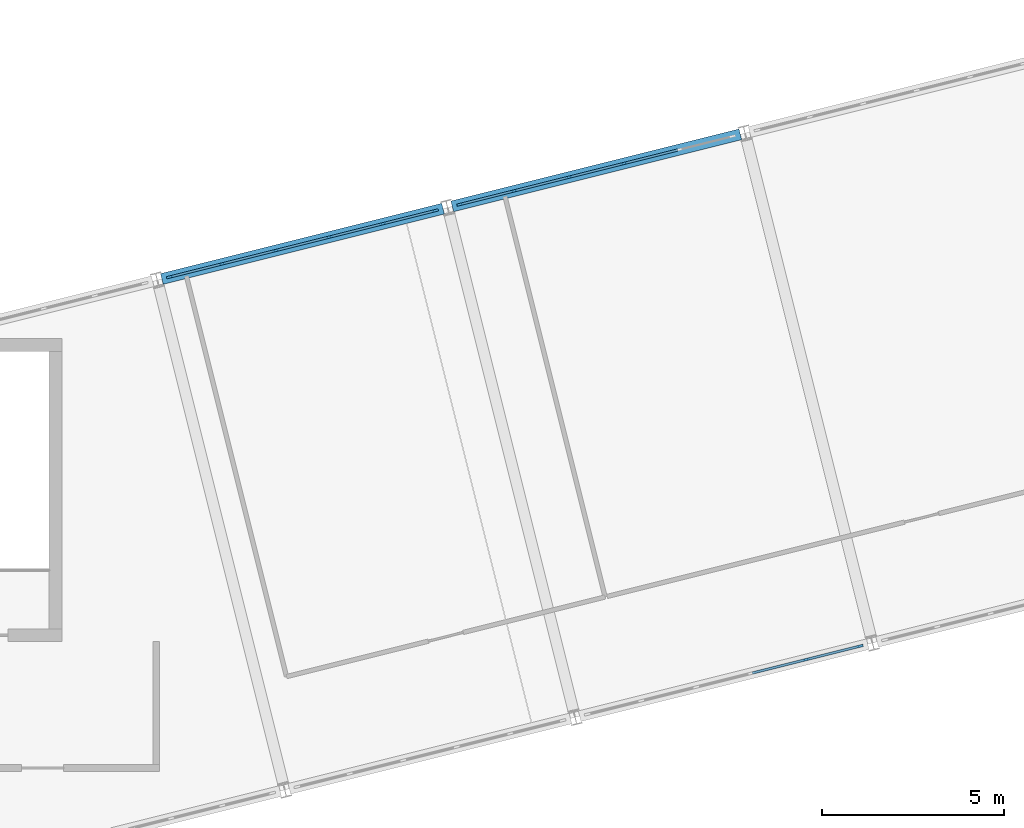
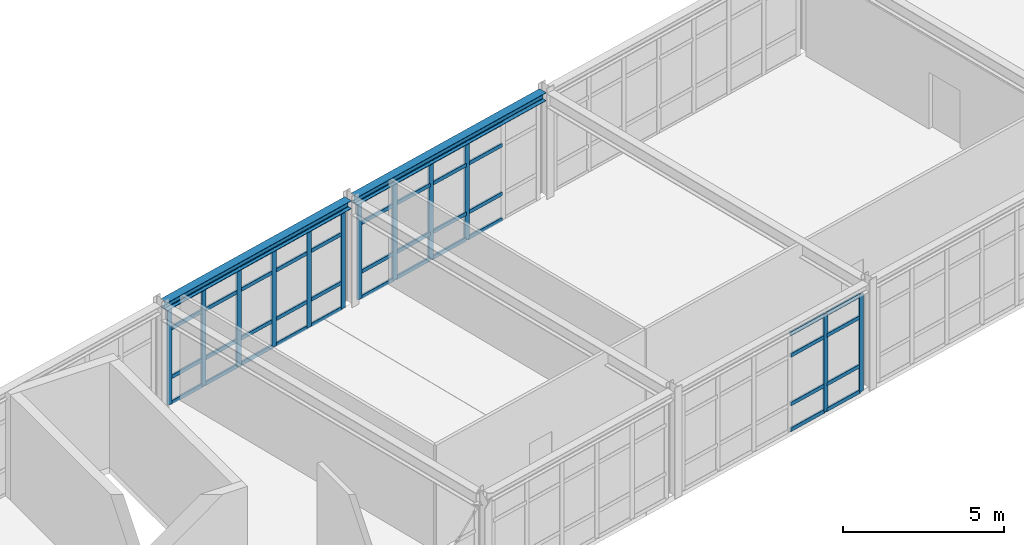
# One storey, part 16 of 64: 56 members, 2 beams, 3 elements without a shape of their own.
"""IFC4 building model written with IfcOpenShell, lengths in metres."""

from ifc_helpers import new_model, si_unit, direction, frame, origin, origin_2d, place, context, subcontext, project, spatial, rectangle, i_section, extrude, material, layer, layer_set, material_profile, profile_set, type_object, element, aggregate, save


model = new_model("IFC4")

# Units and contexts
model_context = context("Model", 3, precision=1e-05, world=origin(), true_north=direction((0.0, 1.0)))
body_context = subcontext(model_context, "Body", "Model", "MODEL_VIEW")
ifc_project = project(units=[si_unit("LENGTHUNIT", "METRE"), si_unit("AREAUNIT", "SQUARE_METRE"), si_unit("VOLUMEUNIT", "CUBIC_METRE"), si_unit("PLANEANGLEUNIT", "RADIAN"), si_unit("MASSUNIT", "GRAM", prefix="KILO")], contexts=[model_context])

# Site, building, storey
site_placement = place(None, origin())
site = spatial("IfcSite", under=ifc_project, at=site_placement, CompositionType="ELEMENT")
building_placement = place(site_placement, origin())
building = spatial("IfcBuilding", under=site, at=building_placement, Name="Nordkorset Police Headquarters", CompositionType="ELEMENT")
storey_placement = place(building_placement, frame((0.0, 0.0, 17.85009765625)))
storey = spatial("IfcBuildingStorey", under=building, at=storey_placement, Name="L04", CompositionType="ELEMENT", Elevation=17.85009765625)

# Curtain wall, members
ifc_material_1 = material(Name="Aluminium alloy AW-6060", Category="aluminium")
ifc_layer_1 = layer(ifc_material_1, 0.179931640625, Name="Aluminium alloy AW-6060")
ifc_layer_set_1 = layer_set([ifc_layer_1], Name="Aluminium alloy AW-6060")
curtain_wall_type_1 = type_object("IfcCurtainWallType", Name="CW_Unit_756x369", PredefinedType="USERDEFINED", material=ifc_layer_set_1)
curtain_wall_1_placement = place(storey_placement, origin())
curtain_wall_1 = element("IfcCurtainWall", 1, at=curtain_wall_1_placement, inside=storey, type_object=curtain_wall_type_1, Name="Unitised Curtain Wall L04 V4N-1", ObjectType="UNITISED CURTAIN WALL", PredefinedType="USERDEFINED")
ifc_material_2 = material(Name="Aluminium alloy AW-6060", Category="aluminium")
ifc_material_profile_1 = material_profile(ifc_material_2, rectangle(XDim=0.06494140625, YDim=0.179931640625, at=origin_2d()), Name="ALU MULL 65x180")
ifc_profile_set_1 = profile_set([ifc_material_profile_1], Name="Aluminium alloy AW-6060")
member_type_1 = type_object("IfcMemberType", Name="CW_Mullion_65x180", PredefinedType="MULLION", material=ifc_profile_set_1)
member_1_placement = place(storey_placement, frame((32.28515625, 59.014404296875, 0.0), z_axis=(0.0, 0.0, 1.0), x_axis=(-0.242535625038, 0.970142500145, 0.0)))
member_1 = element("IfcMember", 2, at=member_1_placement, type_object=member_type_1, Name="CW-90 mullion 1", PredefinedType="MULLION", context=body_context, shape_type="SweptSolid", body=[
    extrude(rectangle(XDim=0.06494140625, YDim=0.179931640625, at=origin_2d()), origin(), (0.0, 0.0, 1.0), 3.69091796875),
])
member_2_placement = place(storey_placement, frame((33.720458984375, 59.373291015625, 0.0), z_axis=(0.0, 0.0, 1.0), x_axis=(-0.242535625038, 0.970142500145, 0.0)))
member_2 = element("IfcMember", 3, at=member_2_placement, type_object=member_type_1, Name="CW-90 mullion 2", PredefinedType="MULLION", context=body_context, shape_type="SweptSolid", body=[
    extrude(rectangle(XDim=0.06494140625, YDim=0.179931640625, at=origin_2d()), origin(), (0.0, 0.0, 1.0), 3.69091796875),
])
member_3_placement = place(storey_placement, frame((35.1875, 59.739990234375, 0.0), z_axis=(0.0, 0.0, 1.0), x_axis=(-0.242535625038, 0.970142500145, 0.0)))
member_3 = element("IfcMember", 4, at=member_3_placement, type_object=member_type_1, Name="CW-90 mullion 3", PredefinedType="MULLION", context=body_context, shape_type="SweptSolid", body=[
    extrude(rectangle(XDim=0.06494140625, YDim=0.179931640625, at=origin_2d()), origin(), (0.0, 0.0, 1.0), 3.69091796875),
])
member_4_placement = place(storey_placement, frame((36.654296875, 60.106689453125, 0.0), z_axis=(0.0, 0.0, 1.0), x_axis=(-0.242535625038, 0.970142500145, 0.0)))
member_4 = element("IfcMember", 5, at=member_4_placement, type_object=member_type_1, Name="CW-90 mullion 4", PredefinedType="MULLION", context=body_context, shape_type="SweptSolid", body=[
    extrude(rectangle(XDim=0.06494140625, YDim=0.179931640625, at=origin_2d()), origin(), (0.0, 0.0, 1.0), 3.69091796875),
])
member_5_placement = place(storey_placement, frame((38.12109375, 60.473388671875, 0.0), z_axis=(0.0, 0.0, 1.0), x_axis=(-0.242535625038, 0.970142500145, 0.0)))
member_5 = element("IfcMember", 6, at=member_5_placement, type_object=member_type_1, Name="CW-90 mullion 5", PredefinedType="MULLION", context=body_context, shape_type="SweptSolid", body=[
    extrude(rectangle(XDim=0.06494140625, YDim=0.179931640625, at=origin_2d()), origin(), (0.0, 0.0, 1.0), 3.69091796875),
])
member_6_placement = place(storey_placement, frame((39.556396484375, 60.832275390625, 0.0), z_axis=(0.0, 0.0, 1.0), x_axis=(-0.242535625038, 0.970142500145, 0.0)))
member_6 = element("IfcMember", 7, at=member_6_placement, type_object=member_type_1, Name="CW-90 mullion 6", PredefinedType="MULLION", context=body_context, shape_type="SweptSolid", body=[
    extrude(rectangle(XDim=0.06494140625, YDim=0.179931640625, at=origin_2d()), origin(), (0.0, 0.0, 1.0), 3.69091796875),
])

ifc_material_3 = material(Name="Aluminium alloy AW-6060", Category="aluminium")
ifc_layer_2 = layer(ifc_material_3, 0.179931640625, Name="Aluminium alloy AW-6060")
ifc_layer_set_2 = layer_set([ifc_layer_2], Name="Aluminium alloy AW-6060")
curtain_wall_type_2 = type_object("IfcCurtainWallType", Name="CW_Unit_776x369", PredefinedType="USERDEFINED", material=ifc_layer_set_2)
curtain_wall_2_placement = place(storey_placement, origin())
curtain_wall_2 = element("IfcCurtainWall", 8, at=curtain_wall_2_placement, inside=storey, type_object=curtain_wall_type_2, Name="Unitised Curtain Wall L04 V4S-2", ObjectType="UNITISED CURTAIN WALL", PredefinedType="USERDEFINED")
member_7_placement = place(storey_placement, frame((49.723876953125, 48.531005859375, 0.0), z_axis=(0.0, 0.0, 1.0), x_axis=(-0.24253471539, 0.970142727556, 0.0)))
member_7 = element("IfcMember", 9, at=member_7_placement, type_object=member_type_1, Name="CW-21 mullion 5", PredefinedType="MULLION", context=body_context, shape_type="SweptSolid", body=[
    extrude(rectangle(XDim=0.06494140625, YDim=0.179931640625, at=origin_2d()), origin(), (0.0, 0.0, 1.0), 3.69091796875),
])
member_8_placement = place(storey_placement, frame((51.1982421875, 48.8994140625, 0.0), z_axis=(0.0, 0.0, 1.0), x_axis=(-0.24253471539, 0.970142727556, 0.0)))
member_8 = element("IfcMember", 10, at=member_8_placement, type_object=member_type_1, Name="CW-21 mullion 6", PredefinedType="MULLION", context=body_context, shape_type="SweptSolid", body=[
    extrude(rectangle(XDim=0.06494140625, YDim=0.179931640625, at=origin_2d()), origin(), (0.0, 0.0, 1.0), 3.69091796875),
])

curtain_wall_3_placement = place(storey_placement, origin())
curtain_wall_3 = element("IfcCurtainWall", 11, at=curtain_wall_3_placement, inside=storey, type_object=curtain_wall_type_2, Name="Unitised Curtain Wall L04 V4N-2", ObjectType="UNITISED CURTAIN WALL", PredefinedType="USERDEFINED")
member_9_placement = place(storey_placement, frame((40.240478515625, 61.003173828125, 0.0), z_axis=(0.0, 0.0, 1.0), x_axis=(-0.242535928242, 0.970142424344, 0.0)))
member_9 = element("IfcMember", 12, at=member_9_placement, type_object=member_type_1, Name="CW-21 mullion 1", PredefinedType="MULLION", context=body_context, shape_type="SweptSolid", body=[
    extrude(rectangle(XDim=0.06494140625, YDim=0.179931640625, at=origin_2d()), origin(), (0.0, 0.0, 1.0), 3.69091796875),
])
member_10_placement = place(storey_placement, frame((41.714599609375, 61.371826171875, 0.0), z_axis=(0.0, 0.0, 1.0), x_axis=(-0.242535928242, 0.970142424344, 0.0)))
member_10 = element("IfcMember", 13, at=member_10_placement, type_object=member_type_1, Name="CW-21 mullion 2", PredefinedType="MULLION", context=body_context, shape_type="SweptSolid", body=[
    extrude(rectangle(XDim=0.06494140625, YDim=0.179931640625, at=origin_2d()), origin(), (0.0, 0.0, 1.0), 3.69091796875),
])
member_11_placement = place(storey_placement, frame((43.22021484375, 61.748291015625, 0.0), z_axis=(0.0, 0.0, 1.0), x_axis=(-0.242535928242, 0.970142424344, 0.0)))
member_11 = element("IfcMember", 14, at=member_11_placement, type_object=member_type_1, Name="CW-21 mullion 3", PredefinedType="MULLION", context=body_context, shape_type="SweptSolid", body=[
    extrude(rectangle(XDim=0.06494140625, YDim=0.179931640625, at=origin_2d()), origin(), (0.0, 0.0, 1.0), 3.69091796875),
])
member_12_placement = place(storey_placement, frame((44.725830078125, 62.124755859375, 0.0), z_axis=(0.0, 0.0, 1.0), x_axis=(-0.242535928242, 0.970142424344, 0.0)))
member_12 = element("IfcMember", 15, at=member_12_placement, type_object=member_type_1, Name="CW-21 mullion 4", PredefinedType="MULLION", context=body_context, shape_type="SweptSolid", body=[
    extrude(rectangle(XDim=0.06494140625, YDim=0.179931640625, at=origin_2d()), origin(), (0.0, 0.0, 1.0), 3.69091796875),
])

# Member
ifc_material_4 = material(Name="Aluminium alloy AW-6060", Category="aluminium")
ifc_material_profile_2 = material_profile(ifc_material_4, rectangle(XDim=0.06494140625, YDim=0.139892578125, at=origin_2d()), Name="ALU TRAN 65x140")
ifc_profile_set_2 = profile_set([ifc_material_profile_2], Name="Aluminium alloy AW-6060")
member_type_2 = type_object("IfcMemberType", Name="CW_Transom_65x140", PredefinedType="USERDEFINED", material=ifc_profile_set_2)
member_13_placement = place(storey_placement, frame((32.316650390625, 59.0224609375, 0.032470703125), z_axis=(0.970152651902, 0.242495014396, 0.0), x_axis=(-0.242495014396, 0.970152651902, 0.0)))
member_13 = element("IfcMember", 16, at=member_13_placement, type_object=member_type_2, Name="CW-90 transom 1.1", ObjectType="TRANSOM", PredefinedType="USERDEFINED", context=body_context, shape_type="SweptSolid", body=[
    extrude(rectangle(XDim=0.06494140625, YDim=0.139892578125, at=origin_2d()), origin(), (0.0, 0.0, 1.0), 1.41455078125),
])

member_14_placement = place(storey_placement, frame((32.316650390625, 59.0224609375, 1.0), z_axis=(0.970152651902, 0.242495014396, 0.0), x_axis=(-0.242495014396, 0.970152651902, 0.0)))
member_14 = element("IfcMember", 17, at=member_14_placement, type_object=member_type_2, Name="CW-90 transom 1.2", ObjectType="TRANSOM", PredefinedType="USERDEFINED", context=body_context, shape_type="SweptSolid", body=[
    extrude(rectangle(XDim=0.06494140625, YDim=0.139892578125, at=origin_2d()), origin(), (0.0, 0.0, 1.0), 1.41455078125),
])

member_15_placement = place(storey_placement, frame((32.316650390625, 59.0224609375, 2.8408203125), z_axis=(0.970152651902, 0.242495014396, 0.0), x_axis=(-0.242495014396, 0.970152651902, 0.0)))
member_15 = element("IfcMember", 18, at=member_15_placement, type_object=member_type_2, Name="CW-90 transom 1.3", ObjectType="TRANSOM", PredefinedType="USERDEFINED", context=body_context, shape_type="SweptSolid", body=[
    extrude(rectangle(XDim=0.06494140625, YDim=0.139892578125, at=origin_2d()), origin(), (0.0, 0.0, 1.0), 1.41455078125),
])

member_16_placement = place(storey_placement, frame((32.316650390625, 59.0224609375, 3.658447265625), z_axis=(0.970152651902, 0.242495014396, 0.0), x_axis=(-0.242495014396, 0.970152651902, 0.0)))
member_16 = element("IfcMember", 19, at=member_16_placement, type_object=member_type_2, Name="CW-90 transom 1.4", ObjectType="TRANSOM", PredefinedType="USERDEFINED", context=body_context, shape_type="SweptSolid", body=[
    extrude(rectangle(XDim=0.06494140625, YDim=0.139892578125, at=origin_2d()), origin(), (0.0, 0.0, 1.0), 1.41455078125),
])

member_17_placement = place(storey_placement, frame((33.751953125, 59.381103515625, 0.032470703125), z_axis=(0.97012264784, 0.242615020451, 0.0), x_axis=(-0.242615020451, 0.97012264784, 0.0)))
member_17 = element("IfcMember", 20, at=member_17_placement, type_object=member_type_2, Name="CW-90 transom 2.1", ObjectType="TRANSOM", PredefinedType="USERDEFINED", context=body_context, shape_type="SweptSolid", body=[
    extrude(rectangle(XDim=0.06494140625, YDim=0.139892578125, at=origin_2d()), origin(), (0.0, 0.0, 1.0), 1.447021484375),
])

member_18_placement = place(storey_placement, frame((33.751953125, 59.381103515625, 1.0), z_axis=(0.97012264784, 0.242615020451, 0.0), x_axis=(-0.242615020451, 0.97012264784, 0.0)))
member_18 = element("IfcMember", 21, at=member_18_placement, type_object=member_type_2, Name="CW-90 transom 2.2", ObjectType="TRANSOM", PredefinedType="USERDEFINED", context=body_context, shape_type="SweptSolid", body=[
    extrude(rectangle(XDim=0.06494140625, YDim=0.139892578125, at=origin_2d()), origin(), (0.0, 0.0, 1.0), 1.447021484375),
])

member_19_placement = place(storey_placement, frame((33.751953125, 59.381103515625, 2.8408203125), z_axis=(0.97012264784, 0.242615020451, 0.0), x_axis=(-0.242615020451, 0.97012264784, 0.0)))
member_19 = element("IfcMember", 22, at=member_19_placement, type_object=member_type_2, Name="CW-90 transom 2.3", ObjectType="TRANSOM", PredefinedType="USERDEFINED", context=body_context, shape_type="SweptSolid", body=[
    extrude(rectangle(XDim=0.06494140625, YDim=0.139892578125, at=origin_2d()), origin(), (0.0, 0.0, 1.0), 1.447021484375),
])

member_20_placement = place(storey_placement, frame((33.751953125, 59.381103515625, 3.658447265625), z_axis=(0.97012264784, 0.242615020451, 0.0), x_axis=(-0.242615020451, 0.97012264784, 0.0)))
member_20 = element("IfcMember", 23, at=member_20_placement, type_object=member_type_2, Name="CW-90 transom 2.4", ObjectType="TRANSOM", PredefinedType="USERDEFINED", context=body_context, shape_type="SweptSolid", body=[
    extrude(rectangle(XDim=0.06494140625, YDim=0.139892578125, at=origin_2d()), origin(), (0.0, 0.0, 1.0), 1.447021484375),
])

member_21_placement = place(storey_placement, frame((35.218994140625, 59.747802734375, 0.032470703125), z_axis=(0.97012264784, 0.242615020451, 0.0), x_axis=(-0.242615020451, 0.97012264784, 0.0)))
member_21 = element("IfcMember", 24, at=member_21_placement, type_object=member_type_2, Name="CW-90 transom 3.1", ObjectType="TRANSOM", PredefinedType="USERDEFINED", context=body_context, shape_type="SweptSolid", body=[
    extrude(rectangle(XDim=0.06494140625, YDim=0.139892578125, at=origin_2d()), origin(), (0.0, 0.0, 1.0), 1.447021484375),
])

member_22_placement = place(storey_placement, frame((35.218994140625, 59.747802734375, 1.0), z_axis=(0.97012264784, 0.242615020451, 0.0), x_axis=(-0.242615020451, 0.97012264784, 0.0)))
member_22 = element("IfcMember", 25, at=member_22_placement, type_object=member_type_2, Name="CW-90 transom 3.2", ObjectType="TRANSOM", PredefinedType="USERDEFINED", context=body_context, shape_type="SweptSolid", body=[
    extrude(rectangle(XDim=0.06494140625, YDim=0.139892578125, at=origin_2d()), origin(), (0.0, 0.0, 1.0), 1.447021484375),
])

member_23_placement = place(storey_placement, frame((35.218994140625, 59.747802734375, 2.8408203125), z_axis=(0.97012264784, 0.242615020451, 0.0), x_axis=(-0.242615020451, 0.97012264784, 0.0)))
member_23 = element("IfcMember", 26, at=member_23_placement, type_object=member_type_2, Name="CW-90 transom 3.3", ObjectType="TRANSOM", PredefinedType="USERDEFINED", context=body_context, shape_type="SweptSolid", body=[
    extrude(rectangle(XDim=0.06494140625, YDim=0.139892578125, at=origin_2d()), origin(), (0.0, 0.0, 1.0), 1.447021484375),
])

member_24_placement = place(storey_placement, frame((35.218994140625, 59.747802734375, 3.658447265625), z_axis=(0.97012264784, 0.242615020451, 0.0), x_axis=(-0.242615020451, 0.97012264784, 0.0)))
member_24 = element("IfcMember", 27, at=member_24_placement, type_object=member_type_2, Name="CW-90 transom 3.4", ObjectType="TRANSOM", PredefinedType="USERDEFINED", context=body_context, shape_type="SweptSolid", body=[
    extrude(rectangle(XDim=0.06494140625, YDim=0.139892578125, at=origin_2d()), origin(), (0.0, 0.0, 1.0), 1.447021484375),
])

member_25_placement = place(storey_placement, frame((36.685791015625, 60.11474609375, 0.032470703125), z_axis=(0.970162346765, 0.242456224748, 0.0), x_axis=(-0.242456224748, 0.970162346765, 0.0)))
member_25 = element("IfcMember", 28, at=member_25_placement, type_object=member_type_2, Name="CW-90 transom 4.1", ObjectType="TRANSOM", PredefinedType="USERDEFINED", context=body_context, shape_type="SweptSolid", body=[
    extrude(rectangle(XDim=0.06494140625, YDim=0.139892578125, at=origin_2d()), origin(), (0.0, 0.0, 1.0), 1.447021484375),
])

member_26_placement = place(storey_placement, frame((36.685791015625, 60.11474609375, 1.0), z_axis=(0.970162346765, 0.242456224748, 0.0), x_axis=(-0.242456224748, 0.970162346765, 0.0)))
member_26 = element("IfcMember", 29, at=member_26_placement, type_object=member_type_2, Name="CW-90 transom 4.2", ObjectType="TRANSOM", PredefinedType="USERDEFINED", context=body_context, shape_type="SweptSolid", body=[
    extrude(rectangle(XDim=0.06494140625, YDim=0.139892578125, at=origin_2d()), origin(), (0.0, 0.0, 1.0), 1.447021484375),
])

member_27_placement = place(storey_placement, frame((36.685791015625, 60.11474609375, 2.8408203125), z_axis=(0.970162346765, 0.242456224748, 0.0), x_axis=(-0.242456224748, 0.970162346765, 0.0)))
member_27 = element("IfcMember", 30, at=member_27_placement, type_object=member_type_2, Name="CW-90 transom 4.3", ObjectType="TRANSOM", PredefinedType="USERDEFINED", context=body_context, shape_type="SweptSolid", body=[
    extrude(rectangle(XDim=0.06494140625, YDim=0.139892578125, at=origin_2d()), origin(), (0.0, 0.0, 1.0), 1.447021484375),
])

member_28_placement = place(storey_placement, frame((36.685791015625, 60.11474609375, 3.658447265625), z_axis=(0.970162346765, 0.242456224748, 0.0), x_axis=(-0.242456224748, 0.970162346765, 0.0)))
member_28 = element("IfcMember", 31, at=member_28_placement, type_object=member_type_2, Name="CW-90 transom 4.4", ObjectType="TRANSOM", PredefinedType="USERDEFINED", context=body_context, shape_type="SweptSolid", body=[
    extrude(rectangle(XDim=0.06494140625, YDim=0.139892578125, at=origin_2d()), origin(), (0.0, 0.0, 1.0), 1.447021484375),
])

member_29_placement = place(storey_placement, frame((38.152587890625, 60.4814453125, 0.032470703125), z_axis=(0.970152651902, 0.242495014396, 0.0), x_axis=(-0.242495014396, 0.970152651902, 0.0)))
member_29 = element("IfcMember", 32, at=member_29_placement, type_object=member_type_2, Name="CW-90 transom 5.1", ObjectType="TRANSOM", PredefinedType="USERDEFINED", context=body_context, shape_type="SweptSolid", body=[
    extrude(rectangle(XDim=0.06494140625, YDim=0.139892578125, at=origin_2d()), origin(), (0.0, 0.0, 1.0), 1.41455078125),
])

member_30_placement = place(storey_placement, frame((38.152587890625, 60.4814453125, 1.0), z_axis=(0.970152651902, 0.242495014396, 0.0), x_axis=(-0.242495014396, 0.970152651902, 0.0)))
member_30 = element("IfcMember", 33, at=member_30_placement, type_object=member_type_2, Name="CW-90 transom 5.2", ObjectType="TRANSOM", PredefinedType="USERDEFINED", context=body_context, shape_type="SweptSolid", body=[
    extrude(rectangle(XDim=0.06494140625, YDim=0.139892578125, at=origin_2d()), origin(), (0.0, 0.0, 1.0), 1.41455078125),
])

member_31_placement = place(storey_placement, frame((38.152587890625, 60.4814453125, 2.8408203125), z_axis=(0.970152651902, 0.242495014396, 0.0), x_axis=(-0.242495014396, 0.970152651902, 0.0)))
member_31 = element("IfcMember", 34, at=member_31_placement, type_object=member_type_2, Name="CW-90 transom 5.3", ObjectType="TRANSOM", PredefinedType="USERDEFINED", context=body_context, shape_type="SweptSolid", body=[
    extrude(rectangle(XDim=0.06494140625, YDim=0.139892578125, at=origin_2d()), origin(), (0.0, 0.0, 1.0), 1.41455078125),
])

member_32_placement = place(storey_placement, frame((38.152587890625, 60.4814453125, 3.658447265625), z_axis=(0.970152651902, 0.242495014396, 0.0), x_axis=(-0.242495014396, 0.970152651902, 0.0)))
member_32 = element("IfcMember", 35, at=member_32_placement, type_object=member_type_2, Name="CW-90 transom 5.4", ObjectType="TRANSOM", PredefinedType="USERDEFINED", context=body_context, shape_type="SweptSolid", body=[
    extrude(rectangle(XDim=0.06494140625, YDim=0.139892578125, at=origin_2d()), origin(), (0.0, 0.0, 1.0), 1.41455078125),
])

aggregate(curtain_wall_1, [member_1, member_2, member_3, member_4, member_5, member_6, member_13, member_14, member_15, member_16, member_17, member_18, member_19, member_20, member_21, member_22, member_23, member_24, member_25, member_26, member_27, member_28, member_29, member_30, member_31, member_32])

member_33_placement = place(storey_placement, frame((48.249755859375, 48.162353515625, 0.032470703125), z_axis=(0.970113521062, 0.242651511953, 0.0), x_axis=(-0.242651511953, 0.970113521062, 0.0)))
member_33 = element("IfcMember", 36, at=member_33_placement, type_object=member_type_2, Name="CW-21 transom 4.1", ObjectType="TRANSOM", PredefinedType="USERDEFINED", context=body_context, shape_type="SweptSolid", body=[
    extrude(rectangle(XDim=0.06494140625, YDim=0.139892578125, at=origin_2d()), origin(), (0.0, 0.0, 1.0), 1.487060546875),
])

member_34_placement = place(storey_placement, frame((48.249755859375, 48.162353515625, 1.0), z_axis=(0.970113521062, 0.242651511953, 0.0), x_axis=(-0.242651511953, 0.970113521062, 0.0)))
member_34 = element("IfcMember", 37, at=member_34_placement, type_object=member_type_2, Name="CW-21 transom 4.2", ObjectType="TRANSOM", PredefinedType="USERDEFINED", context=body_context, shape_type="SweptSolid", body=[
    extrude(rectangle(XDim=0.06494140625, YDim=0.139892578125, at=origin_2d()), origin(), (0.0, 0.0, 1.0), 1.487060546875),
])

member_35_placement = place(storey_placement, frame((48.249755859375, 48.162353515625, 2.8408203125), z_axis=(0.970113521062, 0.242651511953, 0.0), x_axis=(-0.242651511953, 0.970113521062, 0.0)))
member_35 = element("IfcMember", 38, at=member_35_placement, type_object=member_type_2, Name="CW-21 transom 4.3", ObjectType="TRANSOM", PredefinedType="USERDEFINED", context=body_context, shape_type="SweptSolid", body=[
    extrude(rectangle(XDim=0.06494140625, YDim=0.139892578125, at=origin_2d()), origin(), (0.0, 0.0, 1.0), 1.487060546875),
])

member_36_placement = place(storey_placement, frame((48.249755859375, 48.162353515625, 3.658447265625), z_axis=(0.970113521062, 0.242651511953, 0.0), x_axis=(-0.242651511953, 0.970113521062, 0.0)))
member_36 = element("IfcMember", 39, at=member_36_placement, type_object=member_type_2, Name="CW-21 transom 4.4", ObjectType="TRANSOM", PredefinedType="USERDEFINED", context=body_context, shape_type="SweptSolid", body=[
    extrude(rectangle(XDim=0.06494140625, YDim=0.139892578125, at=origin_2d()), origin(), (0.0, 0.0, 1.0), 1.487060546875),
])

member_37_placement = place(storey_placement, frame((49.755615234375, 48.538818359375, 0.032470703125), z_axis=(0.970132624514, 0.242575124143, 0.0), x_axis=(-0.242575124143, 0.970132624514, 0.0)))
member_37 = element("IfcMember", 40, at=member_37_placement, type_object=member_type_2, Name="CW-21 transom 5.1", ObjectType="TRANSOM", PredefinedType="USERDEFINED", context=body_context, shape_type="SweptSolid", body=[
    extrude(rectangle(XDim=0.06494140625, YDim=0.139892578125, at=origin_2d()), origin(), (0.0, 0.0, 1.0), 1.454345703125),
])

member_38_placement = place(storey_placement, frame((49.755615234375, 48.538818359375, 1.0), z_axis=(0.970132624514, 0.242575124143, 0.0), x_axis=(-0.242575124143, 0.970132624514, 0.0)))
member_38 = element("IfcMember", 41, at=member_38_placement, type_object=member_type_2, Name="CW-21 transom 5.2", ObjectType="TRANSOM", PredefinedType="USERDEFINED", context=body_context, shape_type="SweptSolid", body=[
    extrude(rectangle(XDim=0.06494140625, YDim=0.139892578125, at=origin_2d()), origin(), (0.0, 0.0, 1.0), 1.454345703125),
])

member_39_placement = place(storey_placement, frame((49.755615234375, 48.538818359375, 2.8408203125), z_axis=(0.970132624514, 0.242575124143, 0.0), x_axis=(-0.242575124143, 0.970132624514, 0.0)))
member_39 = element("IfcMember", 42, at=member_39_placement, type_object=member_type_2, Name="CW-21 transom 5.3", ObjectType="TRANSOM", PredefinedType="USERDEFINED", context=body_context, shape_type="SweptSolid", body=[
    extrude(rectangle(XDim=0.06494140625, YDim=0.139892578125, at=origin_2d()), origin(), (0.0, 0.0, 1.0), 1.454345703125),
])

member_40_placement = place(storey_placement, frame((49.755615234375, 48.538818359375, 3.658447265625), z_axis=(0.970132624514, 0.242575124143, 0.0), x_axis=(-0.242575124143, 0.970132624514, 0.0)))
member_40 = element("IfcMember", 43, at=member_40_placement, type_object=member_type_2, Name="CW-21 transom 5.4", ObjectType="TRANSOM", PredefinedType="USERDEFINED", context=body_context, shape_type="SweptSolid", body=[
    extrude(rectangle(XDim=0.06494140625, YDim=0.139892578125, at=origin_2d()), origin(), (0.0, 0.0, 1.0), 1.454345703125),
])

aggregate(curtain_wall_2, [member_7, member_8, member_33, member_34, member_35, member_36, member_37, member_38, member_39, member_40])

member_41_placement = place(storey_placement, frame((40.27197265625, 61.01123046875, 0.032470703125), z_axis=(0.970132624514, 0.242575124143, 0.0), x_axis=(-0.242575124143, 0.970132624514, 0.0)))
member_41 = element("IfcMember", 44, at=member_41_placement, type_object=member_type_2, Name="CW-21 transom 1.1", ObjectType="TRANSOM", PredefinedType="USERDEFINED", context=body_context, shape_type="SweptSolid", body=[
    extrude(rectangle(XDim=0.06494140625, YDim=0.139892578125, at=origin_2d()), origin(), (0.0, 0.0, 1.0), 1.454345703125),
])

member_42_placement = place(storey_placement, frame((40.27197265625, 61.01123046875, 1.0), z_axis=(0.970132624514, 0.242575124143, 0.0), x_axis=(-0.242575124143, 0.970132624514, 0.0)))
member_42 = element("IfcMember", 45, at=member_42_placement, type_object=member_type_2, Name="CW-21 transom 1.2", ObjectType="TRANSOM", PredefinedType="USERDEFINED", context=body_context, shape_type="SweptSolid", body=[
    extrude(rectangle(XDim=0.06494140625, YDim=0.139892578125, at=origin_2d()), origin(), (0.0, 0.0, 1.0), 1.454345703125),
])

member_43_placement = place(storey_placement, frame((40.27197265625, 61.01123046875, 2.8408203125), z_axis=(0.970132624514, 0.242575124143, 0.0), x_axis=(-0.242575124143, 0.970132624514, 0.0)))
member_43 = element("IfcMember", 46, at=member_43_placement, type_object=member_type_2, Name="CW-21 transom 1.3", ObjectType="TRANSOM", PredefinedType="USERDEFINED", context=body_context, shape_type="SweptSolid", body=[
    extrude(rectangle(XDim=0.06494140625, YDim=0.139892578125, at=origin_2d()), origin(), (0.0, 0.0, 1.0), 1.454345703125),
])

member_44_placement = place(storey_placement, frame((40.27197265625, 61.01123046875, 3.658447265625), z_axis=(0.970132624514, 0.242575124143, 0.0), x_axis=(-0.242575124143, 0.970132624514, 0.0)))
member_44 = element("IfcMember", 47, at=member_44_placement, type_object=member_type_2, Name="CW-21 transom 1.4", ObjectType="TRANSOM", PredefinedType="USERDEFINED", context=body_context, shape_type="SweptSolid", body=[
    extrude(rectangle(XDim=0.06494140625, YDim=0.139892578125, at=origin_2d()), origin(), (0.0, 0.0, 1.0), 1.454345703125),
])

member_45_placement = place(storey_placement, frame((41.74609375, 61.379638671875, 0.032470703125), z_axis=(0.970152157148, 0.242496993757, 0.0), x_axis=(-0.242496993757, 0.970152157148, 0.0)))
member_45 = element("IfcMember", 48, at=member_45_placement, type_object=member_type_2, Name="CW-21 transom 2.1", ObjectType="TRANSOM", PredefinedType="USERDEFINED", context=body_context, shape_type="SweptSolid", body=[
    extrude(rectangle(XDim=0.06494140625, YDim=0.139892578125, at=origin_2d()), origin(), (0.0, 0.0, 1.0), 1.487060546875),
])

member_46_placement = place(storey_placement, frame((41.74609375, 61.379638671875, 1.0), z_axis=(0.970152157148, 0.242496993757, 0.0), x_axis=(-0.242496993757, 0.970152157148, 0.0)))
member_46 = element("IfcMember", 49, at=member_46_placement, type_object=member_type_2, Name="CW-21 transom 2.2", ObjectType="TRANSOM", PredefinedType="USERDEFINED", context=body_context, shape_type="SweptSolid", body=[
    extrude(rectangle(XDim=0.06494140625, YDim=0.139892578125, at=origin_2d()), origin(), (0.0, 0.0, 1.0), 1.487060546875),
])

member_47_placement = place(storey_placement, frame((41.74609375, 61.379638671875, 2.8408203125), z_axis=(0.970152157148, 0.242496993757, 0.0), x_axis=(-0.242496993757, 0.970152157148, 0.0)))
member_47 = element("IfcMember", 50, at=member_47_placement, type_object=member_type_2, Name="CW-21 transom 2.3", ObjectType="TRANSOM", PredefinedType="USERDEFINED", context=body_context, shape_type="SweptSolid", body=[
    extrude(rectangle(XDim=0.06494140625, YDim=0.139892578125, at=origin_2d()), origin(), (0.0, 0.0, 1.0), 1.487060546875),
])

member_48_placement = place(storey_placement, frame((41.74609375, 61.379638671875, 3.658447265625), z_axis=(0.970152157148, 0.242496993757, 0.0), x_axis=(-0.242496993757, 0.970152157148, 0.0)))
member_48 = element("IfcMember", 51, at=member_48_placement, type_object=member_type_2, Name="CW-21 transom 2.4", ObjectType="TRANSOM", PredefinedType="USERDEFINED", context=body_context, shape_type="SweptSolid", body=[
    extrude(rectangle(XDim=0.06494140625, YDim=0.139892578125, at=origin_2d()), origin(), (0.0, 0.0, 1.0), 1.487060546875),
])

member_49_placement = place(storey_placement, frame((43.251708984375, 61.756103515625, 0.032470703125), z_axis=(0.970152157148, 0.242496993757, 0.0), x_axis=(-0.242496993757, 0.970152157148, 0.0)))
member_49 = element("IfcMember", 52, at=member_49_placement, type_object=member_type_2, Name="CW-21 transom 3.1", ObjectType="TRANSOM", PredefinedType="USERDEFINED", context=body_context, shape_type="SweptSolid", body=[
    extrude(rectangle(XDim=0.06494140625, YDim=0.139892578125, at=origin_2d()), origin(), (0.0, 0.0, 1.0), 1.487060546875),
])

member_50_placement = place(storey_placement, frame((43.251708984375, 61.756103515625, 1.0), z_axis=(0.970152157148, 0.242496993757, 0.0), x_axis=(-0.242496993757, 0.970152157148, 0.0)))
member_50 = element("IfcMember", 53, at=member_50_placement, type_object=member_type_2, Name="CW-21 transom 3.2", ObjectType="TRANSOM", PredefinedType="USERDEFINED", context=body_context, shape_type="SweptSolid", body=[
    extrude(rectangle(XDim=0.06494140625, YDim=0.139892578125, at=origin_2d()), origin(), (0.0, 0.0, 1.0), 1.487060546875),
])

member_51_placement = place(storey_placement, frame((43.251708984375, 61.756103515625, 2.8408203125), z_axis=(0.970152157148, 0.242496993757, 0.0), x_axis=(-0.242496993757, 0.970152157148, 0.0)))
member_51 = element("IfcMember", 54, at=member_51_placement, type_object=member_type_2, Name="CW-21 transom 3.3", ObjectType="TRANSOM", PredefinedType="USERDEFINED", context=body_context, shape_type="SweptSolid", body=[
    extrude(rectangle(XDim=0.06494140625, YDim=0.139892578125, at=origin_2d()), origin(), (0.0, 0.0, 1.0), 1.487060546875),
])

member_52_placement = place(storey_placement, frame((43.251708984375, 61.756103515625, 3.658447265625), z_axis=(0.970152157148, 0.242496993757, 0.0), x_axis=(-0.242496993757, 0.970152157148, 0.0)))
member_52 = element("IfcMember", 55, at=member_52_placement, type_object=member_type_2, Name="CW-21 transom 3.4", ObjectType="TRANSOM", PredefinedType="USERDEFINED", context=body_context, shape_type="SweptSolid", body=[
    extrude(rectangle(XDim=0.06494140625, YDim=0.139892578125, at=origin_2d()), origin(), (0.0, 0.0, 1.0), 1.487060546875),
])

member_53_placement = place(storey_placement, frame((44.75732421875, 62.132568359375, 0.032470703125), z_axis=(0.970152157148, 0.242496993757, 0.0), x_axis=(-0.242496993757, 0.970152157148, 0.0)))
member_53 = element("IfcMember", 56, at=member_53_placement, type_object=member_type_2, Name="CW-21 transom 4.1", ObjectType="TRANSOM", PredefinedType="USERDEFINED", context=body_context, shape_type="SweptSolid", body=[
    extrude(rectangle(XDim=0.06494140625, YDim=0.139892578125, at=origin_2d()), origin(), (0.0, 0.0, 1.0), 1.487060546875),
])

member_54_placement = place(storey_placement, frame((44.75732421875, 62.132568359375, 1.0), z_axis=(0.970152157148, 0.242496993757, 0.0), x_axis=(-0.242496993757, 0.970152157148, 0.0)))
member_54 = element("IfcMember", 57, at=member_54_placement, type_object=member_type_2, Name="CW-21 transom 4.2", ObjectType="TRANSOM", PredefinedType="USERDEFINED", context=body_context, shape_type="SweptSolid", body=[
    extrude(rectangle(XDim=0.06494140625, YDim=0.139892578125, at=origin_2d()), origin(), (0.0, 0.0, 1.0), 1.487060546875),
])

member_55_placement = place(storey_placement, frame((44.75732421875, 62.132568359375, 2.8408203125), z_axis=(0.970152157148, 0.242496993757, 0.0), x_axis=(-0.242496993757, 0.970152157148, 0.0)))
member_55 = element("IfcMember", 58, at=member_55_placement, type_object=member_type_2, Name="CW-21 transom 4.3", ObjectType="TRANSOM", PredefinedType="USERDEFINED", context=body_context, shape_type="SweptSolid", body=[
    extrude(rectangle(XDim=0.06494140625, YDim=0.139892578125, at=origin_2d()), origin(), (0.0, 0.0, 1.0), 1.487060546875),
])

member_56_placement = place(storey_placement, frame((44.75732421875, 62.132568359375, 3.658447265625), z_axis=(0.970152157148, 0.242496993757, 0.0), x_axis=(-0.242496993757, 0.970152157148, 0.0)))
member_56 = element("IfcMember", 59, at=member_56_placement, type_object=member_type_2, Name="CW-21 transom 4.4", ObjectType="TRANSOM", PredefinedType="USERDEFINED", context=body_context, shape_type="SweptSolid", body=[
    extrude(rectangle(XDim=0.06494140625, YDim=0.139892578125, at=origin_2d()), origin(), (0.0, 0.0, 1.0), 1.487060546875),
])

aggregate(curtain_wall_3, [member_9, member_10, member_11, member_12, member_41, member_42, member_43, member_44, member_45, member_46, member_47, member_48, member_49, member_50, member_51, member_52, member_53, member_54, member_55, member_56])

# Beams
ifc_material_5 = material(Name="Steel S355J2", Category="steel")
ifc_material_profile_3 = material_profile(ifc_material_5, i_section(OverallWidth=0.300048828125, OverallDepth=0.31005859375, WebThickness=0.009033203125, FlangeThickness=0.015380859375, FilletRadius=0.027099609375, at=origin_2d()), Name="HEA 320")
ifc_profile_set_3 = profile_set([ifc_material_profile_3], Name="Steel S355J2")
beam_type = type_object("IfcBeamType", Name="Spandrel_HEA_320", PredefinedType="SPANDREL", material=ifc_profile_set_3)
beam_1_placement = place(storey_placement, frame((32.0693359375, 58.96044921875, 3.865966796875), z_axis=(0.970140691393, 0.242542859932, 0.0), x_axis=(-0.242542859932, 0.970140691393, 0.0)))
element("IfcBeam", 60, at=beam_1_placement, inside=storey, type_object=beam_type, Name="Splayed Wing Spandrel L04 1-1", PredefinedType="SPANDREL", context=body_context, shape_type="SweptSolid", body=[
    extrude(i_section(OverallWidth=0.300048828125, OverallDepth=0.31005859375, WebThickness=0.009033203125, FlangeThickness=0.015380859375, FilletRadius=0.027099609375, at=origin_2d()), origin(), (0.0, 0.0, 1.0), 7.93994140625),
])
beam_2_placement = place(storey_placement, frame((40.0244140625, 60.94921875, 3.865966796875), z_axis=(0.970138971508, 0.242549739151, 0.0), x_axis=(-0.242549739151, 0.970138971508, 0.0)))
element("IfcBeam", 61, at=beam_2_placement, inside=storey, type_object=beam_type, Name="Splayed Wing Spandrel L04 2-1", PredefinedType="SPANDREL", context=body_context, shape_type="SweptSolid", body=[
    extrude(i_section(OverallWidth=0.300048828125, OverallDepth=0.31005859375, WebThickness=0.009033203125, FlangeThickness=0.015380859375, FilletRadius=0.027099609375, at=origin_2d()), origin(), (0.0, 0.0, 1.0), 8.14013671875),
])

save(model, "model.ifc")
